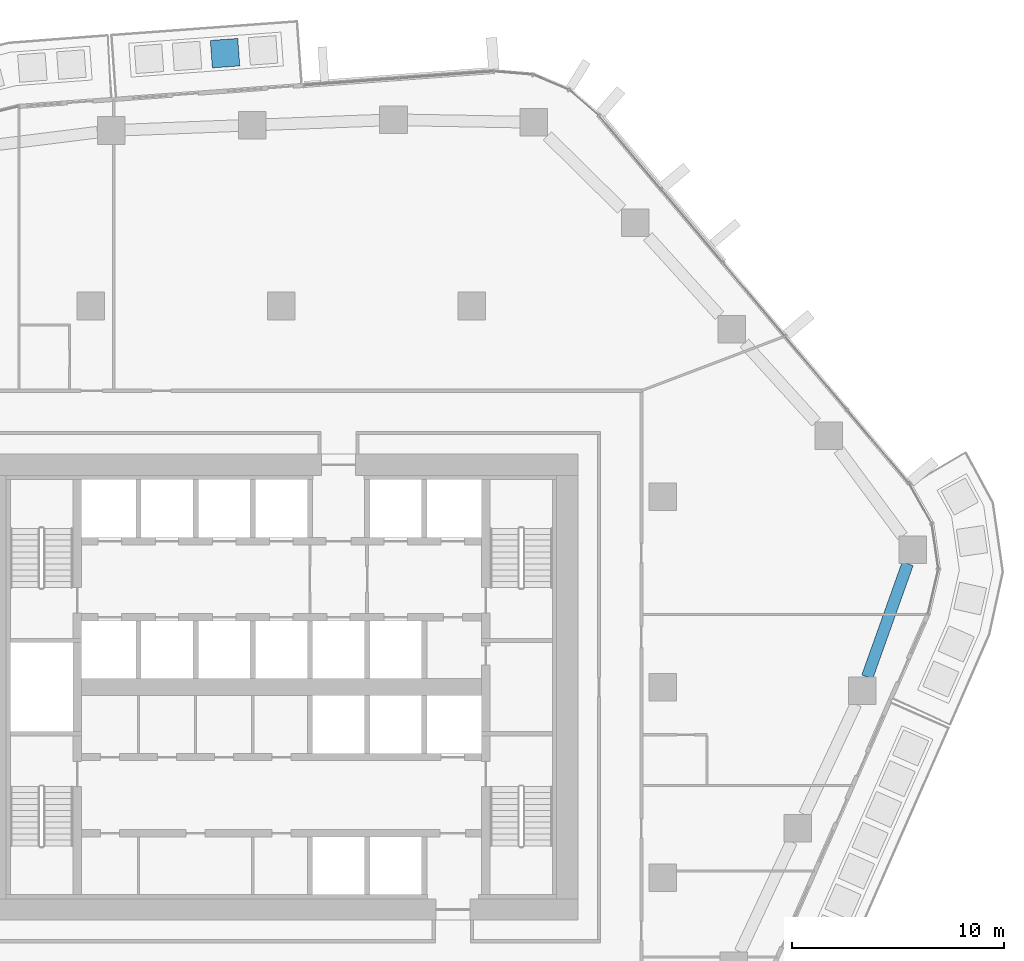
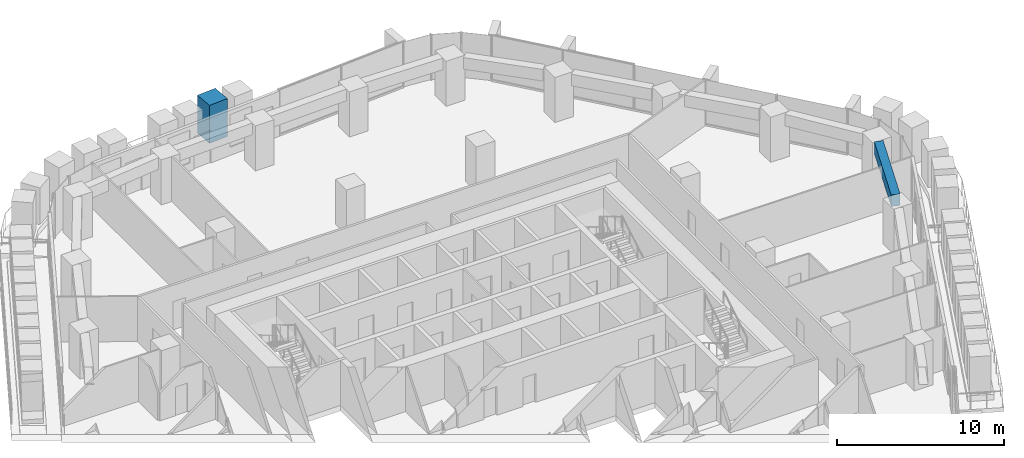
# One storey, part 7 of 23: 1 beam, 1 member.
"""IFC4 building model written with IfcOpenShell, lengths in metres."""

from ifc_helpers import new_model, si_unit, direction, frame, origin, origin_2d, place, context, subcontext, project, spatial, rectangle, extrude, material, material_profile, profile_set, type_object, element, save


model = new_model("IFC4")

# Units and contexts
model_context = context("Model", 3, precision=1e-05, world=origin(), true_north=direction((0.0, 1.0)))
body_context = subcontext(model_context, "Body", "Model", "MODEL_VIEW")
ifc_project = project(units=[si_unit("LENGTHUNIT", "METRE"), si_unit("AREAUNIT", "SQUARE_METRE"), si_unit("VOLUMEUNIT", "CUBIC_METRE"), si_unit("PLANEANGLEUNIT", "RADIAN"), si_unit("MASSUNIT", "GRAM", prefix="KILO")], contexts=[model_context])

# Site, building, storey
site_placement = place(None, origin())
site = spatial("IfcSite", under=ifc_project, at=site_placement, CompositionType="ELEMENT")
building_placement = place(site_placement, origin())
building = spatial("IfcBuilding", under=site, at=building_placement, Name="Dongbaek Canopy Tower", CompositionType="ELEMENT")
storey_placement = place(building_placement, frame((0.0, 0.0, 132.199951171875)))
storey = spatial("IfcBuildingStorey", under=building, at=storey_placement, Name="L29", CompositionType="ELEMENT", Elevation=132.199951171875)

# Beam
ifc_material_1 = material(Name="Concrete C80", Category="concrete")
ifc_material_profile_1 = material_profile(ifc_material_1, rectangle(XDim=0.550048828125, YDim=0.85009765625, at=origin_2d()), Name="RC EDGE BEAM 550x850 C80")
ifc_profile_set_1 = profile_set([ifc_material_profile_1], Name="Concrete C80")
beam_type = type_object("IfcBeamType", Name="RC EDGE BEAM 550x850 C80", PredefinedType="BEAM", material=ifc_profile_set_1)
beam_placement = place(storey_placement, frame((29.578857421875, 5.83203125, 2.875), z_axis=(-0.33649709705, -0.941684503258, 0.0), x_axis=(0.941684503258, -0.33649709705, 0.0)))
element("IfcBeam", 1, at=beam_placement, inside=storey, type_object=beam_type, Name="EDGEBEAM:L29:21", PredefinedType="BEAM", context=body_context, shape_type="SweptSolid", body=[
    extrude(rectangle(XDim=0.550048828125, YDim=0.85009765625, at=origin_2d()), origin(), (0.0, 0.0, 1.0), 5.677978515625),
])

# Member
ifc_material_2 = material(Name="Concrete C40/50 planter mass with planting", Category="concrete")
ifc_material_profile_2 = material_profile(ifc_material_2, rectangle(XDim=1.300048828125, YDim=1.300048828125, at=origin_2d()), Name="Terrace PLANTER shrub mass 1300 x 1300")
ifc_profile_set_2 = profile_set([ifc_material_profile_2], Name="Concrete C40/50 planter mass with planting")
member_type = type_object("IfcMemberType", Name="Terrace PLANTER shrub mass 1300 x 1300", PredefinedType="USERDEFINED", material=ifc_profile_set_2)
member_placement = place(storey_placement, frame((-2.6591796875, 29.939453125, 0.420166015625), z_axis=(0.0, 0.0, 1.0), x_axis=(-0.073519152761, 0.997293805344, 0.0)))
element("IfcMember", 2, at=member_placement, inside=storey, type_object=member_type, Name="Planter shrubs L29 1.2", ObjectType="PLANTER", PredefinedType="USERDEFINED", context=body_context, shape_type="SweptSolid", body=[
    extrude(rectangle(XDim=1.300048828125, YDim=1.300048828125, at=origin_2d()), origin(), (0.0, 0.0, 1.0), 2.77978515625),
])

save(model, "model.ifc")
